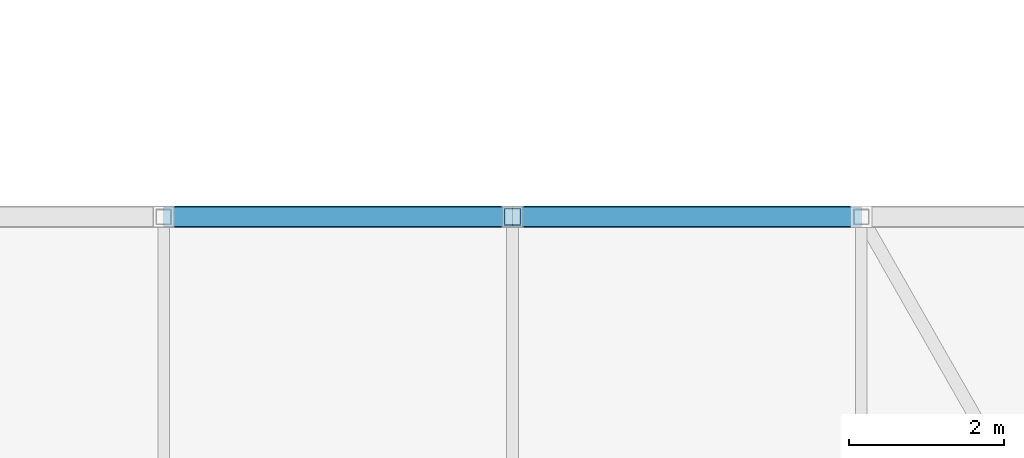
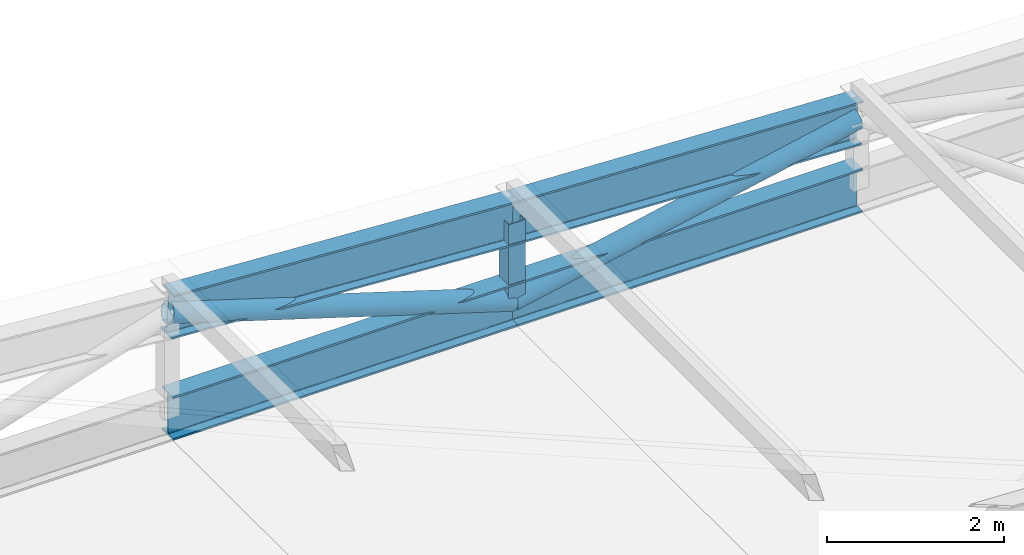
# One storey, part 66 of 114: 4 beams, 3 members.
"""IFC4 building model written with IfcOpenShell, lengths in metres."""

from ifc_helpers import new_model, si_unit, direction, frame, origin, origin_2d, place, context, subcontext, project, spatial, hollow_rectangle, hollow_circle, i_section, extrude, material, material_profile, profile_set, type_object, element, save


model = new_model("IFC4")

# Units and contexts
model_context = context("Model", 3, precision=1e-05, world=origin(), true_north=direction((0.0, 1.0)))
body_context = subcontext(model_context, "Body", "Model", "MODEL_VIEW")
ifc_project = project(units=[si_unit("LENGTHUNIT", "METRE"), si_unit("AREAUNIT", "SQUARE_METRE"), si_unit("VOLUMEUNIT", "CUBIC_METRE"), si_unit("PLANEANGLEUNIT", "RADIAN"), si_unit("MASSUNIT", "GRAM", prefix="KILO"), si_unit("THERMODYNAMICTEMPERATUREUNIT", "KELVIN"), si_unit("POWERUNIT", "WATT")], contexts=[model_context])

# Site, building, storey
site_placement = place(None, origin())
site = spatial("IfcSite", under=ifc_project, at=site_placement, CompositionType="ELEMENT")
building_placement = place(site_placement, origin())
building = spatial("IfcBuilding", under=site, at=building_placement, Name="Sindhuravela Promenade Stadium", CompositionType="ELEMENT")
storey_placement = place(building_placement, frame((0.0, 0.0, 24.0)))
storey = spatial("IfcBuildingStorey", under=building, at=storey_placement, Name="L05", CompositionType="ELEMENT", Elevation=24.0)

# Beams
ifc_material = material(Name="Steel E350 (IS 2062 E350BR)", Category="steel")
ifc_material_profile_1 = material_profile(ifc_material, i_section(OverallWidth=0.25, OverallDepth=0.60009765625, WebThickness=0.01171875, FlangeThickness=0.023681640625, FilletRadius=0.01708984375, at=origin_2d()), Name="ISWB 600")
ifc_profile_set_1 = profile_set([ifc_material_profile_1], Name="Steel E350 (IS 2062 E350BR)")
beam_type = type_object("IfcBeamType", Name="ST-BM-WB600", PredefinedType="USERDEFINED", material=ifc_profile_set_1)
beam_1_placement = place(storey_placement, frame((193.5, 124.89990234375, 0.9306640625), z_axis=(-0.9990310406412204, 0.0, 0.04401113308380376), x_axis=(0.0, -1.0, 0.0)))
element("IfcBeam", 1, at=beam_1_placement, inside=storey, type_object=beam_type, Name="Roof truss RT-E09 top chord 2", ObjectType="ROOF TRUSS", PredefinedType="USERDEFINED", context=body_context, shape_type="SweptSolid", body=[
    extrude(i_section(OverallWidth=0.25, OverallDepth=0.60009765625, WebThickness=0.01171875, FlangeThickness=0.023681640625, FilletRadius=0.01708984375, at=origin_2d()), origin(), (0.0, 0.0, 1.0), 4.50439453125),
])
beam_2_placement = place(storey_placement, frame((193.5, 124.89990234375, 0.0), z_axis=(-1.0, 0.0, 0.0), x_axis=(0.0, -1.0, 0.0)))
element("IfcBeam", 2, at=beam_2_placement, inside=storey, type_object=beam_type, Name="Roof truss RT-E09 bottom chord 2", ObjectType="ROOF TRUSS", PredefinedType="USERDEFINED", context=body_context, shape_type="SweptSolid", body=[
    extrude(i_section(OverallWidth=0.25, OverallDepth=0.60009765625, WebThickness=0.01171875, FlangeThickness=0.023681640625, FilletRadius=0.01708984375, at=origin_2d()), origin(), (0.0, 0.0, 1.0), 4.5),
])
beam_3_placement = place(storey_placement, frame((189.0, 124.89990234375, 1.12890625), z_axis=(-0.9981720622420935, 0.0, 0.06043619908106426), x_axis=(0.0, -1.0, 0.0)))
element("IfcBeam", 3, at=beam_3_placement, inside=storey, type_object=beam_type, Name="Roof truss RT-E09 top chord 3", ObjectType="ROOF TRUSS", PredefinedType="USERDEFINED", context=body_context, shape_type="SweptSolid", body=[
    extrude(i_section(OverallWidth=0.25, OverallDepth=0.60009765625, WebThickness=0.01171875, FlangeThickness=0.023681640625, FilletRadius=0.01708984375, at=origin_2d()), origin(), (0.0, 0.0, 1.0), 4.50830078125),
])
beam_4_placement = place(storey_placement, frame((189.0, 124.89990234375, 0.0), z_axis=(-1.0, 0.0, 0.0), x_axis=(0.0, -1.0, 0.0)))
element("IfcBeam", 4, at=beam_4_placement, inside=storey, type_object=beam_type, Name="Roof truss RT-E09 bottom chord 3", ObjectType="ROOF TRUSS", PredefinedType="USERDEFINED", context=body_context, shape_type="SweptSolid", body=[
    extrude(i_section(OverallWidth=0.25, OverallDepth=0.60009765625, WebThickness=0.01171875, FlangeThickness=0.023681640625, FilletRadius=0.01708984375, at=origin_2d()), origin(), (0.0, 0.0, 1.0), 4.5),
])

# Members
ifc_material_profile_2 = material_profile(ifc_material, hollow_circle(Radius=0.136474609375, WallThickness=0.010009765625, at=origin_2d()), Name="CHS 273.0x10")
ifc_profile_set_2 = profile_set([ifc_material_profile_2], Name="Steel E350 (IS 2062 E350BR)")
member_type_1 = type_object("IfcMemberType", Name="ST-MB-CHS273", PredefinedType="BRACE", material=ifc_profile_set_2)
member_1_placement = place(storey_placement, frame((193.5, 124.89990234375, 0.9306640625), z_axis=(-0.9792764097222669, 0.0, -0.2025283026183421), x_axis=(0.0, -1.0, 0.0)))
element("IfcMember", 5, at=member_1_placement, inside=storey, type_object=member_type_1, Name="Roof truss RT-E09 diagonal web 2", PredefinedType="BRACE", context=body_context, shape_type="SweptSolid", body=[
    extrude(hollow_circle(Radius=0.136474609375, WallThickness=0.010009765625, at=origin_2d()), origin(), (0.0, 0.0, 1.0), 4.59521484375),
])
member_2_placement = place(storey_placement, frame((189.0, 124.89990234375, 0.0), z_axis=(-0.9547744570376746, 0.0, 0.2973310212346057), x_axis=(0.0, -1.0, 0.0)))
element("IfcMember", 6, at=member_2_placement, inside=storey, type_object=member_type_1, Name="Roof truss RT-E09 diagonal web 3", PredefinedType="BRACE", context=body_context, shape_type="SweptSolid", body=[
    extrude(hollow_circle(Radius=0.136474609375, WallThickness=0.010009765625, at=origin_2d()), origin(), (0.0, 0.0, 1.0), 4.713134765625),
])
ifc_material_profile_3 = material_profile(ifc_material, hollow_rectangle(XDim=0.219970703125, YDim=0.219970703125, WallThickness=0.011962890625, at=origin_2d()), Name="SHS 220x220x12")
ifc_profile_set_3 = profile_set([ifc_material_profile_3], Name="Steel E350 (IS 2062 E350BR)")
member_type_2 = type_object("IfcMemberType", Name="ST-MB-SHS220", PredefinedType="POST", material=ifc_profile_set_3)
member_3_placement = place(storey_placement, frame((189.0, 124.89990234375, 0.0), z_axis=(0.0, 0.0, 1.0), x_axis=(1.0, 0.0, 0.0)))
element("IfcMember", 7, at=member_3_placement, inside=storey, type_object=member_type_2, Name="Roof truss RT-E09 vertical post 3", PredefinedType="POST", context=body_context, shape_type="SweptSolid", body=[
    extrude(hollow_rectangle(XDim=0.219970703125, YDim=0.219970703125, WallThickness=0.011962890625, at=origin_2d()), origin(), (0.0, 0.0, 1.0), 1.12890625),
])

save(model, "model.ifc")
